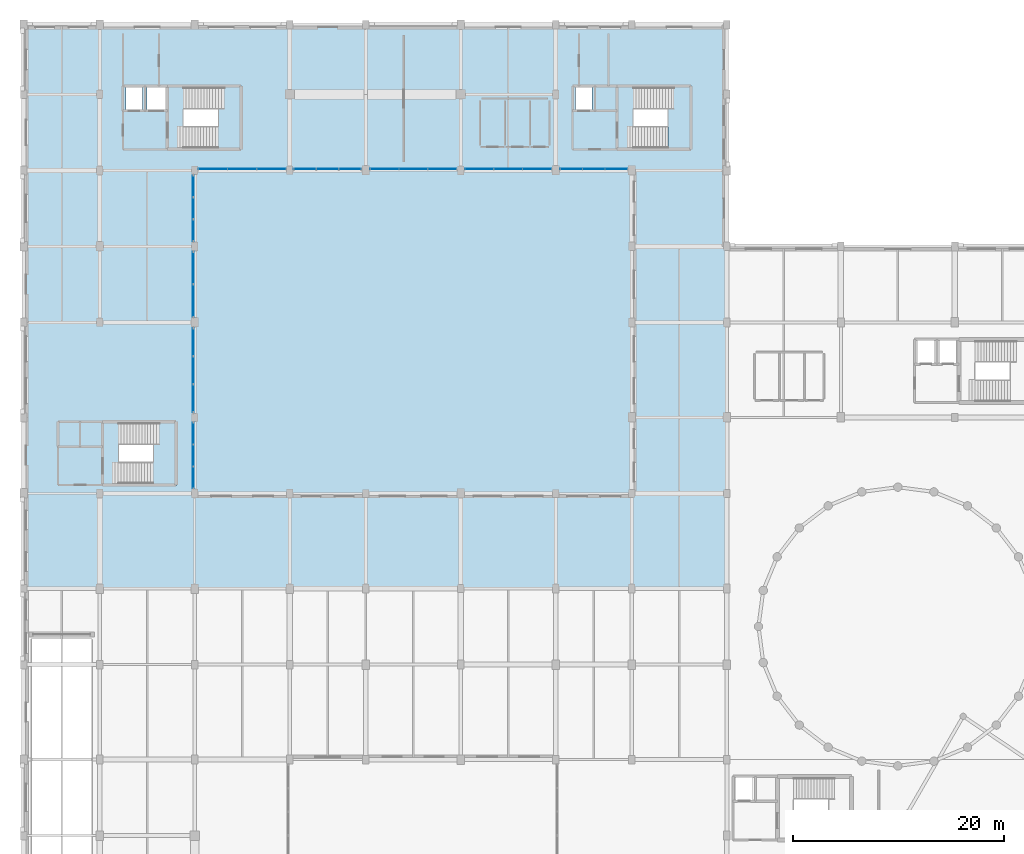
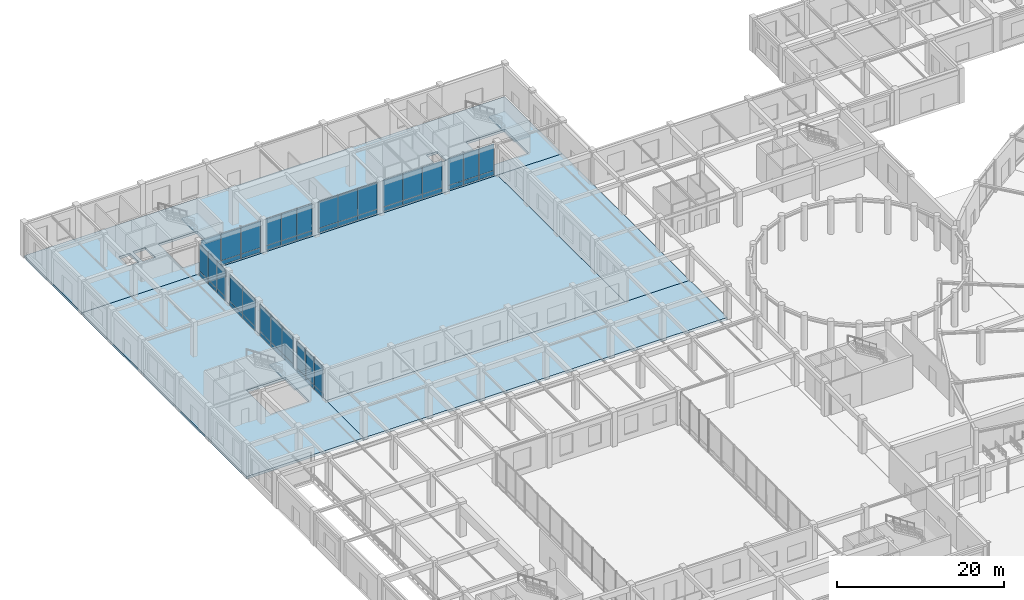
# One storey, part 41 of 64: 52 plates, 8 slabs, 12 elements without a shape of their own.
"""IFC4 building model written with IfcOpenShell, lengths in metres."""

from ifc_helpers import new_model, si_unit, direction, frame, frame_2d, origin, place, context, subcontext, project, spatial, polyline, rectangle, outline, extrude, material, layer, layer_set, type_object, element, aggregate, save


model = new_model("IFC4")

# Units and contexts
model_context = context("Model", 3, precision=1e-05, world=origin(), true_north=direction((0.0, 1.0)))
body_context = subcontext(model_context, "Body", "Model", "MODEL_VIEW")
ifc_project = project(units=[si_unit("LENGTHUNIT", "METRE"), si_unit("AREAUNIT", "SQUARE_METRE"), si_unit("VOLUMEUNIT", "CUBIC_METRE"), si_unit("PLANEANGLEUNIT", "RADIAN"), si_unit("MASSUNIT", "GRAM", prefix="KILO")], contexts=[model_context])

# Site, building, storey
site_placement = place(None, origin())
site = spatial("IfcSite", under=ifc_project, at=site_placement, CompositionType="ELEMENT")
building_placement = place(site_placement, origin())
building = spatial("IfcBuilding", under=site, at=building_placement, Name="Clarverna Civic Hall", CompositionType="ELEMENT")
storey_placement = place(building_placement, origin())
storey = spatial("IfcBuildingStorey", under=building, at=storey_placement, Name="L00", CompositionType="ELEMENT", Elevation=0.0)

# Curtain wall, plates
ifc_material_1 = material(Name="Anodised Bronze Architectural Aluminium", Category="aluminium")
curtain_wall_type = type_object("IfcCurtainWallType", Name="CW-04", PredefinedType="USERDEFINED", material=ifc_material_1)
curtain_wall_1_placement = place(storey_placement, origin())
curtain_wall_1 = element("IfcCurtainWall", 1, at=curtain_wall_1_placement, inside=storey, type_object=curtain_wall_type, Name="CW-04-001", ObjectType="UNITISED CURTAIN WALL", PredefinedType="USERDEFINED")
ifc_material_2 = material(Name="Solar-Control Argon Low-E Double Glazing", Category="glass")
ifc_layer_1 = layer(ifc_material_2, 0.031982421875)
ifc_layer_set_1 = layer_set([ifc_layer_1], Name="Solar-Control Argon Low-E Double Glazing")
plate_type_1 = type_object("IfcPlateType", Name="CWP-01", PredefinedType="CURTAIN_PANEL", material=ifc_layer_set_1)
plate_1_placement = place(storey_placement, frame((57.162109375, 102.340087890625, 0.764892578125), z_axis=(0.0, 0.0, 1.0), x_axis=(-1.0, 0.0, 0.0)))
plate_1 = element("IfcPlate", 2, at=plate_1_placement, type_object=plate_type_1, Name="CWP-01-053", PredefinedType="CURTAIN_PANEL", context=body_context, shape_type="SweptSolid", body=[
    extrude(rectangle(XDim=2.088134765625, YDim=0.031982421875, at=frame_2d((1.0439453125, 0.0))), origin(), (0.0, 0.0, 1.0), 3.945068359375),
])
plate_2_placement = place(storey_placement, frame((55.0439453125, 102.340087890625, 0.764892578125), z_axis=(0.0, 0.0, 1.0), x_axis=(-1.0, 0.0, 0.0)))
plate_2 = element("IfcPlate", 3, at=plate_2_placement, type_object=plate_type_1, Name="CWP-01-054", PredefinedType="CURTAIN_PANEL", context=body_context, shape_type="SweptSolid", body=[
    extrude(rectangle(XDim=2.087890625, YDim=0.031982421875, at=frame_2d((1.0439453125, 0.0))), origin(), (0.0, 0.0, 1.0), 3.945068359375),
])
plate_3_placement = place(storey_placement, frame((52.926025390625, 102.340087890625, 0.764892578125), z_axis=(0.0, 0.0, 1.0), x_axis=(-1.0, 0.0, 0.0)))
plate_3 = element("IfcPlate", 4, at=plate_3_placement, type_object=plate_type_1, Name="CWP-01-055", PredefinedType="CURTAIN_PANEL", context=body_context, shape_type="SweptSolid", body=[
    extrude(rectangle(XDim=2.088134765625, YDim=0.031982421875, at=frame_2d((1.0439453125, 0.0))), origin(), (0.0, 0.0, 1.0), 3.945068359375),
])

curtain_wall_2_placement = place(storey_placement, origin())
curtain_wall_2 = element("IfcCurtainWall", 5, at=curtain_wall_2_placement, inside=storey, type_object=curtain_wall_type, Name="CW-04-002", ObjectType="UNITISED CURTAIN WALL", PredefinedType="USERDEFINED")
plate_4_placement = place(storey_placement, frame((49.9619140625, 102.340087890625, 0.764892578125), z_axis=(0.0, 0.0, 1.0), x_axis=(-1.0, 0.0, 0.0)))
plate_4 = element("IfcPlate", 6, at=plate_4_placement, type_object=plate_type_1, Name="CWP-01-056", PredefinedType="CURTAIN_PANEL", context=body_context, shape_type="SweptSolid", body=[
    extrude(rectangle(XDim=2.6962890625, YDim=0.031982421875, at=frame_2d((1.34814453125, 0.0))), origin(), (0.0, 0.0, 1.0), 3.945068359375),
])
plate_5_placement = place(storey_placement, frame((47.235595703125, 102.340087890625, 0.764892578125), z_axis=(0.0, 0.0, 1.0), x_axis=(-1.0, 0.0, 0.0)))
plate_5 = element("IfcPlate", 7, at=plate_5_placement, type_object=plate_type_1, Name="CWP-01-057", PredefinedType="CURTAIN_PANEL", context=body_context, shape_type="SweptSolid", body=[
    extrude(rectangle(XDim=2.6962890625, YDim=0.031982421875, at=frame_2d((1.34814453125, 0.0))), origin(), (0.0, 0.0, 1.0), 3.945068359375),
])
plate_6_placement = place(storey_placement, frame((44.50927734375, 102.340087890625, 0.764892578125), z_axis=(0.0, 0.0, 1.0), x_axis=(-1.0, 0.0, 0.0)))
plate_6 = element("IfcPlate", 8, at=plate_6_placement, type_object=plate_type_1, Name="CWP-01-058", PredefinedType="CURTAIN_PANEL", context=body_context, shape_type="SweptSolid", body=[
    extrude(rectangle(XDim=2.6962890625, YDim=0.031982421875, at=frame_2d((1.34814453125, 0.0))), origin(), (0.0, 0.0, 1.0), 3.945068359375),
])

curtain_wall_3_placement = place(storey_placement, origin())
curtain_wall_3 = element("IfcCurtainWall", 9, at=curtain_wall_3_placement, inside=storey, type_object=curtain_wall_type, Name="CW-04-003", ObjectType="UNITISED CURTAIN WALL", PredefinedType="USERDEFINED")
plate_7_placement = place(storey_placement, frame((40.987060546875, 102.340087890625, 0.764892578125), z_axis=(0.0, 0.0, 1.0), x_axis=(-1.0, 0.0, 0.0)))
plate_7 = element("IfcPlate", 10, at=plate_7_placement, type_object=plate_type_1, Name="CWP-01-059", PredefinedType="CURTAIN_PANEL", context=body_context, shape_type="SweptSolid", body=[
    extrude(rectangle(XDim=2.6962890625, YDim=0.031982421875, at=frame_2d((1.34814453125, 0.0))), origin(), (0.0, 0.0, 1.0), 3.945068359375),
])
plate_8_placement = place(storey_placement, frame((38.2607421875, 102.340087890625, 0.764892578125), z_axis=(0.0, 0.0, 1.0), x_axis=(-1.0, 0.0, 0.0)))
plate_8 = element("IfcPlate", 11, at=plate_8_placement, type_object=plate_type_1, Name="CWP-01-060", PredefinedType="CURTAIN_PANEL", context=body_context, shape_type="SweptSolid", body=[
    extrude(rectangle(XDim=2.696533203125, YDim=0.031982421875, at=frame_2d((1.34814453125, 0.0))), origin(), (0.0, 0.0, 1.0), 3.945068359375),
])
plate_9_placement = place(storey_placement, frame((35.5341796875, 102.340087890625, 0.764892578125), z_axis=(0.0, 0.0, 1.0), x_axis=(-1.0, 0.0, 0.0)))
plate_9 = element("IfcPlate", 12, at=plate_9_placement, type_object=plate_type_1, Name="CWP-01-061", PredefinedType="CURTAIN_PANEL", context=body_context, shape_type="SweptSolid", body=[
    extrude(rectangle(XDim=2.6962890625, YDim=0.031982421875, at=frame_2d((1.34814453125, 0.0))), origin(), (0.0, 0.0, 1.0), 3.945068359375),
])

curtain_wall_4_placement = place(storey_placement, origin())
curtain_wall_4 = element("IfcCurtainWall", 13, at=curtain_wall_4_placement, inside=storey, type_object=curtain_wall_type, Name="CW-04-004", ObjectType="UNITISED CURTAIN WALL", PredefinedType="USERDEFINED")
plate_10_placement = place(storey_placement, frame((31.9619140625, 102.340087890625, 0.764892578125), z_axis=(0.0, 0.0, 1.0), x_axis=(-1.0, 0.0, 0.0)))
plate_10 = element("IfcPlate", 14, at=plate_10_placement, type_object=plate_type_1, Name="CWP-01-062", PredefinedType="CURTAIN_PANEL", context=body_context, shape_type="SweptSolid", body=[
    extrude(rectangle(XDim=2.1044921875, YDim=0.031982421875, at=frame_2d((1.05224609375, 0.0))), origin(), (0.0, 0.0, 1.0), 3.945068359375),
])
plate_11_placement = place(storey_placement, frame((29.827392578125, 102.340087890625, 0.764892578125), z_axis=(0.0, 0.0, 1.0), x_axis=(-1.0, 0.0, 0.0)))
plate_11 = element("IfcPlate", 15, at=plate_11_placement, type_object=plate_type_1, Name="CWP-01-063", PredefinedType="CURTAIN_PANEL", context=body_context, shape_type="SweptSolid", body=[
    extrude(rectangle(XDim=2.104736328125, YDim=0.031982421875, at=frame_2d((1.05224609375, 0.0))), origin(), (0.0, 0.0, 1.0), 3.945068359375),
])
plate_12_placement = place(storey_placement, frame((27.692626953125, 102.340087890625, 0.764892578125), z_axis=(0.0, 0.0, 1.0), x_axis=(-1.0, 0.0, 0.0)))
plate_12 = element("IfcPlate", 16, at=plate_12_placement, type_object=plate_type_1, Name="CWP-01-064", PredefinedType="CURTAIN_PANEL", context=body_context, shape_type="SweptSolid", body=[
    extrude(rectangle(XDim=2.104736328125, YDim=0.031982421875, at=frame_2d((1.05224609375, 0.0))), origin(), (0.0, 0.0, 1.0), 3.945068359375),
])

curtain_wall_5_placement = place(storey_placement, origin())
curtain_wall_5 = element("IfcCurtainWall", 17, at=curtain_wall_5_placement, inside=storey, type_object=curtain_wall_type, Name="CW-04-005", ObjectType="UNITISED CURTAIN WALL", PredefinedType="USERDEFINED")
plate_13_placement = place(storey_placement, frame((24.81201171875, 102.340087890625, 0.764892578125), z_axis=(0.0, 0.0, 1.0), x_axis=(-1.0, 0.0, 0.0)))
plate_13 = element("IfcPlate", 18, at=plate_13_placement, type_object=plate_type_1, Name="CWP-01-065", PredefinedType="CURTAIN_PANEL", context=body_context, shape_type="SweptSolid", body=[
    extrude(rectangle(XDim=2.72119140625, YDim=0.031982421875, at=frame_2d((1.360595703125, 0.0))), origin(), (0.0, 0.0, 1.0), 3.945068359375),
])
plate_14_placement = place(storey_placement, frame((22.060791015625, 102.340087890625, 0.764892578125), z_axis=(0.0, 0.0, 1.0), x_axis=(-1.0, 0.0, 0.0)))
plate_14 = element("IfcPlate", 19, at=plate_14_placement, type_object=plate_type_1, Name="CWP-01-066", PredefinedType="CURTAIN_PANEL", context=body_context, shape_type="SweptSolid", body=[
    extrude(rectangle(XDim=2.721435546875, YDim=0.031982421875, at=frame_2d((1.36083984375, 0.0))), origin(), (0.0, 0.0, 1.0), 3.945068359375),
])
plate_15_placement = place(storey_placement, frame((19.309326171875, 102.340087890625, 0.764892578125), z_axis=(0.0, 0.0, 1.0), x_axis=(-1.0, 0.0, 0.0)))
plate_15 = element("IfcPlate", 20, at=plate_15_placement, type_object=plate_type_1, Name="CWP-01-067", PredefinedType="CURTAIN_PANEL", context=body_context, shape_type="SweptSolid", body=[
    extrude(rectangle(XDim=2.721435546875, YDim=0.031982421875, at=frame_2d((1.36083984375, 0.0))), origin(), (0.0, 0.0, 1.0), 3.945068359375),
])

curtain_wall_6_placement = place(storey_placement, origin())
curtain_wall_6 = element("IfcCurtainWall", 21, at=curtain_wall_6_placement, inside=storey, type_object=curtain_wall_type, Name="CW-04-006", ObjectType="UNITISED CURTAIN WALL", PredefinedType="USERDEFINED")
plate_16_placement = place(storey_placement, frame((16.06005859375, 101.7119140625, 0.764892578125), z_axis=(0.0, 0.0, 1.0), x_axis=(0.0, -1.0, 0.0)))
plate_16 = element("IfcPlate", 22, at=plate_16_placement, type_object=plate_type_1, Name="CWP-01-068", PredefinedType="CURTAIN_PANEL", context=body_context, shape_type="SweptSolid", body=[
    extrude(rectangle(XDim=2.046142578125, YDim=0.031982421875, at=frame_2d((1.02294921875, 0.0))), origin(), (0.0, 0.0, 1.0), 3.945068359375),
])
plate_17_placement = place(storey_placement, frame((16.06005859375, 99.6357421875, 0.764892578125), z_axis=(0.0, 0.0, 1.0), x_axis=(0.0, -1.0, 0.0)))
plate_17 = element("IfcPlate", 23, at=plate_17_placement, type_object=plate_type_1, Name="CWP-01-069", PredefinedType="CURTAIN_PANEL", context=body_context, shape_type="SweptSolid", body=[
    extrude(rectangle(XDim=2.04638671875, YDim=0.031982421875, at=frame_2d((1.023193359375, 0.0))), origin(), (0.0, 0.0, 1.0), 3.945068359375),
])
plate_18_placement = place(storey_placement, frame((16.06005859375, 97.559326171875, 0.764892578125), z_axis=(0.0, 0.0, 1.0), x_axis=(0.0, -1.0, 0.0)))
plate_18 = element("IfcPlate", 24, at=plate_18_placement, type_object=plate_type_1, Name="CWP-01-070", PredefinedType="CURTAIN_PANEL", context=body_context, shape_type="SweptSolid", body=[
    extrude(rectangle(XDim=2.04638671875, YDim=0.031982421875, at=frame_2d((1.023193359375, 0.0))), origin(), (0.0, 0.0, 1.0), 3.945068359375),
])

curtain_wall_7_placement = place(storey_placement, origin())
curtain_wall_7 = element("IfcCurtainWall", 25, at=curtain_wall_7_placement, inside=storey, type_object=curtain_wall_type, Name="CW-04-007", ObjectType="UNITISED CURTAIN WALL", PredefinedType="USERDEFINED")
plate_19_placement = place(storey_placement, frame((16.06005859375, 94.487060546875, 0.764892578125), z_axis=(0.0, 0.0, 1.0), x_axis=(0.0, -1.0, 0.0)))
plate_19 = element("IfcPlate", 26, at=plate_19_placement, type_object=plate_type_1, Name="CWP-01-071", PredefinedType="CURTAIN_PANEL", context=body_context, shape_type="SweptSolid", body=[
    extrude(rectangle(XDim=3.0595703125, YDim=0.031982421875, at=frame_2d((1.52978515625, 0.0))), origin(), (0.0, 0.0, 1.0), 3.945068359375),
])
plate_20_placement = place(storey_placement, frame((16.06005859375, 91.3974609375, 0.764892578125), z_axis=(0.0, 0.0, 1.0), x_axis=(0.0, -1.0, 0.0)))
plate_20 = element("IfcPlate", 27, at=plate_20_placement, type_object=plate_type_1, Name="CWP-01-072", PredefinedType="CURTAIN_PANEL", context=body_context, shape_type="SweptSolid", body=[
    extrude(rectangle(XDim=3.0595703125, YDim=0.031982421875, at=frame_2d((1.52978515625, 0.0))), origin(), (0.0, 0.0, 1.0), 3.945068359375),
])

curtain_wall_8_placement = place(storey_placement, origin())
curtain_wall_8 = element("IfcCurtainWall", 28, at=curtain_wall_8_placement, inside=storey, type_object=curtain_wall_type, Name="CW-04-008", ObjectType="UNITISED CURTAIN WALL", PredefinedType="USERDEFINED")
plate_21_placement = place(storey_placement, frame((16.06005859375, 87.261962890625, 0.764892578125), z_axis=(0.0, 0.0, 1.0), x_axis=(0.0, -1.0, 0.0)))
plate_21 = element("IfcPlate", 29, at=plate_21_placement, type_object=plate_type_1, Name="CWP-01-073", PredefinedType="CURTAIN_PANEL", context=body_context, shape_type="SweptSolid", body=[
    extrude(rectangle(XDim=2.637939453125, YDim=0.031982421875, at=frame_2d((1.31884765625, 0.0))), origin(), (0.0, 0.0, 1.0), 3.945068359375),
])
plate_22_placement = place(storey_placement, frame((16.06005859375, 84.593994140625, 0.764892578125), z_axis=(0.0, 0.0, 1.0), x_axis=(0.0, -1.0, 0.0)))
plate_22 = element("IfcPlate", 30, at=plate_22_placement, type_object=plate_type_1, Name="CWP-01-074", PredefinedType="CURTAIN_PANEL", context=body_context, shape_type="SweptSolid", body=[
    extrude(rectangle(XDim=2.637939453125, YDim=0.031982421875, at=frame_2d((1.31884765625, 0.0))), origin(), (0.0, 0.0, 1.0), 3.945068359375),
])
plate_23_placement = place(storey_placement, frame((16.06005859375, 81.926025390625, 0.764892578125), z_axis=(0.0, 0.0, 1.0), x_axis=(0.0, -1.0, 0.0)))
plate_23 = element("IfcPlate", 31, at=plate_23_placement, type_object=plate_type_1, Name="CWP-01-075", PredefinedType="CURTAIN_PANEL", context=body_context, shape_type="SweptSolid", body=[
    extrude(rectangle(XDim=2.637939453125, YDim=0.031982421875, at=frame_2d((1.31884765625, 0.0))), origin(), (0.0, 0.0, 1.0), 3.945068359375),
])

curtain_wall_9_placement = place(storey_placement, origin())
curtain_wall_9 = element("IfcCurtainWall", 32, at=curtain_wall_9_placement, inside=storey, type_object=curtain_wall_type, Name="CW-04-009", ObjectType="UNITISED CURTAIN WALL", PredefinedType="USERDEFINED")
plate_24_placement = place(storey_placement, frame((16.06005859375, 78.31201171875, 0.764892578125), z_axis=(0.0, 0.0, 1.0), x_axis=(0.0, -1.0, 0.0)))
plate_24 = element("IfcPlate", 33, at=plate_24_placement, type_object=plate_type_1, Name="CWP-01-076", PredefinedType="CURTAIN_PANEL", context=body_context, shape_type="SweptSolid", body=[
    extrude(rectangle(XDim=2.04638671875, YDim=0.031982421875, at=frame_2d((1.023193359375, 0.0))), origin(), (0.0, 0.0, 1.0), 3.945068359375),
])
plate_25_placement = place(storey_placement, frame((16.06005859375, 76.235595703125, 0.764892578125), z_axis=(0.0, 0.0, 1.0), x_axis=(0.0, -1.0, 0.0)))
plate_25 = element("IfcPlate", 34, at=plate_25_placement, type_object=plate_type_1, Name="CWP-01-077", PredefinedType="CURTAIN_PANEL", context=body_context, shape_type="SweptSolid", body=[
    extrude(rectangle(XDim=2.04638671875, YDim=0.031982421875, at=frame_2d((1.023193359375, 0.0))), origin(), (0.0, 0.0, 1.0), 3.945068359375),
])
plate_26_placement = place(storey_placement, frame((16.06005859375, 74.1591796875, 0.764892578125), z_axis=(0.0, 0.0, 1.0), x_axis=(0.0, -1.0, 0.0)))
plate_26 = element("IfcPlate", 35, at=plate_26_placement, type_object=plate_type_1, Name="CWP-01-078", PredefinedType="CURTAIN_PANEL", context=body_context, shape_type="SweptSolid", body=[
    extrude(rectangle(XDim=2.046142578125, YDim=0.031982421875, at=frame_2d((1.02294921875, 0.0))), origin(), (0.0, 0.0, 1.0), 3.945068359375),
])

# Plate
ifc_material_3 = material(Name="Insulated Anodised Bronze Spandrel Panel", Category="aluminium")
ifc_layer_2 = layer(ifc_material_3, 0.048095703125)
ifc_layer_set_2 = layer_set([ifc_layer_2], Name="Insulated Anodised Bronze Spandrel Panel")
plate_type_2 = type_object("IfcPlateType", Name="CWP-03", PredefinedType="CURTAIN_PANEL", material=ifc_layer_set_2)
plate_27_placement = place(storey_placement, frame((57.162109375, 102.340087890625, 0.110107421875), z_axis=(0.0, 0.0, 1.0), x_axis=(-1.0, 0.0, 0.0)))
plate_27 = element("IfcPlate", 36, at=plate_27_placement, type_object=plate_type_2, Name="CWP-03-055", PredefinedType="CURTAIN_PANEL", context=body_context, shape_type="SweptSolid", body=[
    extrude(rectangle(XDim=2.088134765625, YDim=0.048095703125, at=frame_2d((1.0439453125, 0.0))), origin(), (0.0, 0.0, 1.0), 0.625),
])

plate_28_placement = place(storey_placement, frame((55.0439453125, 102.340087890625, 0.110107421875), z_axis=(0.0, 0.0, 1.0), x_axis=(-1.0, 0.0, 0.0)))
plate_28 = element("IfcPlate", 37, at=plate_28_placement, type_object=plate_type_2, Name="CWP-03-056", PredefinedType="CURTAIN_PANEL", context=body_context, shape_type="SweptSolid", body=[
    extrude(rectangle(XDim=2.087890625, YDim=0.048095703125, at=frame_2d((1.0439453125, 0.0))), origin(), (0.0, 0.0, 1.0), 0.625),
])

plate_29_placement = place(storey_placement, frame((52.926025390625, 102.340087890625, 0.110107421875), z_axis=(0.0, 0.0, 1.0), x_axis=(-1.0, 0.0, 0.0)))
plate_29 = element("IfcPlate", 38, at=plate_29_placement, type_object=plate_type_2, Name="CWP-03-057", PredefinedType="CURTAIN_PANEL", context=body_context, shape_type="SweptSolid", body=[
    extrude(rectangle(XDim=2.088134765625, YDim=0.048095703125, at=frame_2d((1.0439453125, 0.0))), origin(), (0.0, 0.0, 1.0), 0.625),
])

aggregate(curtain_wall_1, [plate_27, plate_1, plate_28, plate_2, plate_29, plate_3])

plate_30_placement = place(storey_placement, frame((49.9619140625, 102.340087890625, 0.110107421875), z_axis=(0.0, 0.0, 1.0), x_axis=(-1.0, 0.0, 0.0)))
plate_30 = element("IfcPlate", 39, at=plate_30_placement, type_object=plate_type_2, Name="CWP-03-058", PredefinedType="CURTAIN_PANEL", context=body_context, shape_type="SweptSolid", body=[
    extrude(rectangle(XDim=2.6962890625, YDim=0.048095703125, at=frame_2d((1.34814453125, 0.0))), origin(), (0.0, 0.0, 1.0), 0.625),
])

plate_31_placement = place(storey_placement, frame((47.235595703125, 102.340087890625, 0.110107421875), z_axis=(0.0, 0.0, 1.0), x_axis=(-1.0, 0.0, 0.0)))
plate_31 = element("IfcPlate", 40, at=plate_31_placement, type_object=plate_type_2, Name="CWP-03-059", PredefinedType="CURTAIN_PANEL", context=body_context, shape_type="SweptSolid", body=[
    extrude(rectangle(XDim=2.6962890625, YDim=0.048095703125, at=frame_2d((1.34814453125, 0.0))), origin(), (0.0, 0.0, 1.0), 0.625),
])

plate_32_placement = place(storey_placement, frame((44.50927734375, 102.340087890625, 0.110107421875), z_axis=(0.0, 0.0, 1.0), x_axis=(-1.0, 0.0, 0.0)))
plate_32 = element("IfcPlate", 41, at=plate_32_placement, type_object=plate_type_2, Name="CWP-03-060", PredefinedType="CURTAIN_PANEL", context=body_context, shape_type="SweptSolid", body=[
    extrude(rectangle(XDim=2.6962890625, YDim=0.048095703125, at=frame_2d((1.34814453125, 0.0))), origin(), (0.0, 0.0, 1.0), 0.625),
])

aggregate(curtain_wall_2, [plate_30, plate_4, plate_31, plate_5, plate_32, plate_6])

plate_33_placement = place(storey_placement, frame((40.987060546875, 102.340087890625, 0.110107421875), z_axis=(0.0, 0.0, 1.0), x_axis=(-1.0, 0.0, 0.0)))
plate_33 = element("IfcPlate", 42, at=plate_33_placement, type_object=plate_type_2, Name="CWP-03-061", PredefinedType="CURTAIN_PANEL", context=body_context, shape_type="SweptSolid", body=[
    extrude(rectangle(XDim=2.6962890625, YDim=0.048095703125, at=frame_2d((1.34814453125, 0.0))), origin(), (0.0, 0.0, 1.0), 0.625),
])

plate_34_placement = place(storey_placement, frame((38.2607421875, 102.340087890625, 0.110107421875), z_axis=(0.0, 0.0, 1.0), x_axis=(-1.0, 0.0, 0.0)))
plate_34 = element("IfcPlate", 43, at=plate_34_placement, type_object=plate_type_2, Name="CWP-03-062", PredefinedType="CURTAIN_PANEL", context=body_context, shape_type="SweptSolid", body=[
    extrude(rectangle(XDim=2.696533203125, YDim=0.048095703125, at=frame_2d((1.34814453125, 0.0))), origin(), (0.0, 0.0, 1.0), 0.625),
])

plate_35_placement = place(storey_placement, frame((35.5341796875, 102.340087890625, 0.110107421875), z_axis=(0.0, 0.0, 1.0), x_axis=(-1.0, 0.0, 0.0)))
plate_35 = element("IfcPlate", 44, at=plate_35_placement, type_object=plate_type_2, Name="CWP-03-063", PredefinedType="CURTAIN_PANEL", context=body_context, shape_type="SweptSolid", body=[
    extrude(rectangle(XDim=2.6962890625, YDim=0.048095703125, at=frame_2d((1.34814453125, 0.0))), origin(), (0.0, 0.0, 1.0), 0.625),
])

aggregate(curtain_wall_3, [plate_33, plate_7, plate_34, plate_8, plate_35, plate_9])

plate_36_placement = place(storey_placement, frame((31.9619140625, 102.340087890625, 0.110107421875), z_axis=(0.0, 0.0, 1.0), x_axis=(-1.0, 0.0, 0.0)))
plate_36 = element("IfcPlate", 45, at=plate_36_placement, type_object=plate_type_2, Name="CWP-03-064", PredefinedType="CURTAIN_PANEL", context=body_context, shape_type="SweptSolid", body=[
    extrude(rectangle(XDim=2.1044921875, YDim=0.048095703125, at=frame_2d((1.05224609375, 0.0))), origin(), (0.0, 0.0, 1.0), 0.625),
])

plate_37_placement = place(storey_placement, frame((29.827392578125, 102.340087890625, 0.110107421875), z_axis=(0.0, 0.0, 1.0), x_axis=(-1.0, 0.0, 0.0)))
plate_37 = element("IfcPlate", 46, at=plate_37_placement, type_object=plate_type_2, Name="CWP-03-065", PredefinedType="CURTAIN_PANEL", context=body_context, shape_type="SweptSolid", body=[
    extrude(rectangle(XDim=2.104736328125, YDim=0.048095703125, at=frame_2d((1.05224609375, 0.0))), origin(), (0.0, 0.0, 1.0), 0.625),
])

plate_38_placement = place(storey_placement, frame((27.692626953125, 102.340087890625, 0.110107421875), z_axis=(0.0, 0.0, 1.0), x_axis=(-1.0, 0.0, 0.0)))
plate_38 = element("IfcPlate", 47, at=plate_38_placement, type_object=plate_type_2, Name="CWP-03-066", PredefinedType="CURTAIN_PANEL", context=body_context, shape_type="SweptSolid", body=[
    extrude(rectangle(XDim=2.104736328125, YDim=0.048095703125, at=frame_2d((1.05224609375, 0.0))), origin(), (0.0, 0.0, 1.0), 0.625),
])

aggregate(curtain_wall_4, [plate_36, plate_10, plate_37, plate_11, plate_38, plate_12])

plate_39_placement = place(storey_placement, frame((24.81201171875, 102.340087890625, 0.110107421875), z_axis=(0.0, 0.0, 1.0), x_axis=(-1.0, 0.0, 0.0)))
plate_39 = element("IfcPlate", 48, at=plate_39_placement, type_object=plate_type_2, Name="CWP-03-067", PredefinedType="CURTAIN_PANEL", context=body_context, shape_type="SweptSolid", body=[
    extrude(rectangle(XDim=2.72119140625, YDim=0.048095703125, at=frame_2d((1.360595703125, 0.0))), origin(), (0.0, 0.0, 1.0), 0.625),
])

plate_40_placement = place(storey_placement, frame((22.060791015625, 102.340087890625, 0.110107421875), z_axis=(0.0, 0.0, 1.0), x_axis=(-1.0, 0.0, 0.0)))
plate_40 = element("IfcPlate", 49, at=plate_40_placement, type_object=plate_type_2, Name="CWP-03-068", PredefinedType="CURTAIN_PANEL", context=body_context, shape_type="SweptSolid", body=[
    extrude(rectangle(XDim=2.721435546875, YDim=0.048095703125, at=frame_2d((1.36083984375, 0.0))), origin(), (0.0, 0.0, 1.0), 0.625),
])

plate_41_placement = place(storey_placement, frame((19.309326171875, 102.340087890625, 0.110107421875), z_axis=(0.0, 0.0, 1.0), x_axis=(-1.0, 0.0, 0.0)))
plate_41 = element("IfcPlate", 50, at=plate_41_placement, type_object=plate_type_2, Name="CWP-03-069", PredefinedType="CURTAIN_PANEL", context=body_context, shape_type="SweptSolid", body=[
    extrude(rectangle(XDim=2.721435546875, YDim=0.048095703125, at=frame_2d((1.36083984375, 0.0))), origin(), (0.0, 0.0, 1.0), 0.625),
])

aggregate(curtain_wall_5, [plate_39, plate_13, plate_40, plate_14, plate_41, plate_15])

plate_42_placement = place(storey_placement, frame((16.06005859375, 101.7119140625, 0.110107421875), z_axis=(0.0, 0.0, 1.0), x_axis=(0.0, -1.0, 0.0)))
plate_42 = element("IfcPlate", 51, at=plate_42_placement, type_object=plate_type_2, Name="CWP-03-070", PredefinedType="CURTAIN_PANEL", context=body_context, shape_type="SweptSolid", body=[
    extrude(rectangle(XDim=2.046142578125, YDim=0.048095703125, at=frame_2d((1.02294921875, 0.0))), origin(), (0.0, 0.0, 1.0), 0.625),
])

plate_43_placement = place(storey_placement, frame((16.06005859375, 99.6357421875, 0.110107421875), z_axis=(0.0, 0.0, 1.0), x_axis=(0.0, -1.0, 0.0)))
plate_43 = element("IfcPlate", 52, at=plate_43_placement, type_object=plate_type_2, Name="CWP-03-071", PredefinedType="CURTAIN_PANEL", context=body_context, shape_type="SweptSolid", body=[
    extrude(rectangle(XDim=2.04638671875, YDim=0.048095703125, at=frame_2d((1.023193359375, 0.0))), origin(), (0.0, 0.0, 1.0), 0.625),
])

plate_44_placement = place(storey_placement, frame((16.06005859375, 97.559326171875, 0.110107421875), z_axis=(0.0, 0.0, 1.0), x_axis=(0.0, -1.0, 0.0)))
plate_44 = element("IfcPlate", 53, at=plate_44_placement, type_object=plate_type_2, Name="CWP-03-072", PredefinedType="CURTAIN_PANEL", context=body_context, shape_type="SweptSolid", body=[
    extrude(rectangle(XDim=2.04638671875, YDim=0.048095703125, at=frame_2d((1.023193359375, 0.0))), origin(), (0.0, 0.0, 1.0), 0.625),
])

aggregate(curtain_wall_6, [plate_42, plate_16, plate_43, plate_17, plate_44, plate_18])

plate_45_placement = place(storey_placement, frame((16.06005859375, 94.487060546875, 0.110107421875), z_axis=(0.0, 0.0, 1.0), x_axis=(0.0, -1.0, 0.0)))
plate_45 = element("IfcPlate", 54, at=plate_45_placement, type_object=plate_type_2, Name="CWP-03-073", PredefinedType="CURTAIN_PANEL", context=body_context, shape_type="SweptSolid", body=[
    extrude(rectangle(XDim=3.0595703125, YDim=0.048095703125, at=frame_2d((1.52978515625, 0.0))), origin(), (0.0, 0.0, 1.0), 0.625),
])

plate_46_placement = place(storey_placement, frame((16.06005859375, 91.3974609375, 0.110107421875), z_axis=(0.0, 0.0, 1.0), x_axis=(0.0, -1.0, 0.0)))
plate_46 = element("IfcPlate", 55, at=plate_46_placement, type_object=plate_type_2, Name="CWP-03-074", PredefinedType="CURTAIN_PANEL", context=body_context, shape_type="SweptSolid", body=[
    extrude(rectangle(XDim=3.0595703125, YDim=0.048095703125, at=frame_2d((1.52978515625, 0.0))), origin(), (0.0, 0.0, 1.0), 0.625),
])

aggregate(curtain_wall_7, [plate_45, plate_19, plate_46, plate_20])

plate_47_placement = place(storey_placement, frame((16.06005859375, 87.261962890625, 0.110107421875), z_axis=(0.0, 0.0, 1.0), x_axis=(0.0, -1.0, 0.0)))
plate_47 = element("IfcPlate", 56, at=plate_47_placement, type_object=plate_type_2, Name="CWP-03-075", PredefinedType="CURTAIN_PANEL", context=body_context, shape_type="SweptSolid", body=[
    extrude(rectangle(XDim=2.637939453125, YDim=0.048095703125, at=frame_2d((1.31884765625, 0.0))), origin(), (0.0, 0.0, 1.0), 0.625),
])

plate_48_placement = place(storey_placement, frame((16.06005859375, 84.593994140625, 0.110107421875), z_axis=(0.0, 0.0, 1.0), x_axis=(0.0, -1.0, 0.0)))
plate_48 = element("IfcPlate", 57, at=plate_48_placement, type_object=plate_type_2, Name="CWP-03-076", PredefinedType="CURTAIN_PANEL", context=body_context, shape_type="SweptSolid", body=[
    extrude(rectangle(XDim=2.637939453125, YDim=0.048095703125, at=frame_2d((1.31884765625, 0.0))), origin(), (0.0, 0.0, 1.0), 0.625),
])

plate_49_placement = place(storey_placement, frame((16.06005859375, 81.926025390625, 0.110107421875), z_axis=(0.0, 0.0, 1.0), x_axis=(0.0, -1.0, 0.0)))
plate_49 = element("IfcPlate", 58, at=plate_49_placement, type_object=plate_type_2, Name="CWP-03-077", PredefinedType="CURTAIN_PANEL", context=body_context, shape_type="SweptSolid", body=[
    extrude(rectangle(XDim=2.637939453125, YDim=0.048095703125, at=frame_2d((1.31884765625, 0.0))), origin(), (0.0, 0.0, 1.0), 0.625),
])

aggregate(curtain_wall_8, [plate_47, plate_21, plate_48, plate_22, plate_49, plate_23])

plate_50_placement = place(storey_placement, frame((16.06005859375, 78.31201171875, 0.110107421875), z_axis=(0.0, 0.0, 1.0), x_axis=(0.0, -1.0, 0.0)))
plate_50 = element("IfcPlate", 59, at=plate_50_placement, type_object=plate_type_2, Name="CWP-03-078", PredefinedType="CURTAIN_PANEL", context=body_context, shape_type="SweptSolid", body=[
    extrude(rectangle(XDim=2.04638671875, YDim=0.048095703125, at=frame_2d((1.023193359375, 0.0))), origin(), (0.0, 0.0, 1.0), 0.625),
])

plate_51_placement = place(storey_placement, frame((16.06005859375, 76.235595703125, 0.110107421875), z_axis=(0.0, 0.0, 1.0), x_axis=(0.0, -1.0, 0.0)))
plate_51 = element("IfcPlate", 60, at=plate_51_placement, type_object=plate_type_2, Name="CWP-03-079", PredefinedType="CURTAIN_PANEL", context=body_context, shape_type="SweptSolid", body=[
    extrude(rectangle(XDim=2.04638671875, YDim=0.048095703125, at=frame_2d((1.023193359375, 0.0))), origin(), (0.0, 0.0, 1.0), 0.625),
])

plate_52_placement = place(storey_placement, frame((16.06005859375, 74.1591796875, 0.110107421875), z_axis=(0.0, 0.0, 1.0), x_axis=(0.0, -1.0, 0.0)))
plate_52 = element("IfcPlate", 61, at=plate_52_placement, type_object=plate_type_2, Name="CWP-03-080", PredefinedType="CURTAIN_PANEL", context=body_context, shape_type="SweptSolid", body=[
    extrude(rectangle(XDim=2.046142578125, YDim=0.048095703125, at=frame_2d((1.02294921875, 0.0))), origin(), (0.0, 0.0, 1.0), 0.625),
])

aggregate(curtain_wall_9, [plate_50, plate_24, plate_51, plate_25, plate_52, plate_26])

# Slabs
ifc_material_4 = material(Name="Concrete C30/37", Category="concrete")
ifc_layer_3 = layer(ifc_material_4, 0.360107421875)
ifc_layer_set_3 = layer_set([ifc_layer_3], Name="Concrete C30/37")
slab_type_1 = type_object("IfcSlabType", Name="SL-FL1", PredefinedType="FLOOR", material=ifc_layer_set_3)
slab_1_placement = place(storey_placement, frame((0.0, 0.0, -0.360107421875)))
element("IfcSlab", 62, at=slab_1_placement, inside=storey, type_object=slab_type_1, Name="SL-FL1-008", PredefinedType="FLOOR", context=body_context, shape_type="SweptSolid", body=[
    extrude(outline(polyline([(0.0, 102.199951171875), (66.574951171875, 102.199951171875), (66.574951171875, 116.0), (0.0, 116.0), (0.0, 102.199951171875)]), holes=[polyline([(15.14990234375, 104.320068359375), (20.550048828125, 104.320068359375), (20.550048828125, 110.080078125), (15.14990234375, 110.080078125), (15.14990234375, 104.320068359375)]), polyline([(9.669921875, 107.93994140625), (11.22998046875, 107.93994140625), (11.22998046875, 110.10009765625), (9.669921875, 110.10009765625), (9.669921875, 107.93994140625)]), polyline([(11.669921875, 107.840087890625), (13.429931640625, 107.840087890625), (13.429931640625, 110.199951171875), (11.669921875, 110.199951171875), (11.669921875, 107.840087890625)]), polyline([(57.75, 104.320068359375), (63.14990234375, 104.320068359375), (63.14990234375, 110.080078125), (57.75, 110.080078125), (57.75, 104.320068359375)]), polyline([(52.27001953125, 107.93994140625), (53.830078125, 107.93994140625), (53.830078125, 110.10009765625), (52.27001953125, 110.10009765625), (52.27001953125, 107.93994140625)])]), origin(), (0.0, 0.0, 1.0), 0.360107421875),
])
slab_2_placement = place(storey_placement, frame((0.0, 0.0, -0.360107421875)))
element("IfcSlab", 63, at=slab_2_placement, inside=storey, type_object=slab_type_1, Name="SL-FL1-009", PredefinedType="FLOOR", context=body_context, shape_type="SweptSolid", body=[
    extrude(outline(polyline([(0.0, 102.199951171875), (0.0, 62.60009765625), (16.199951171875, 62.60009765625), (16.199951171875, 102.199951171875), (0.0, 102.199951171875)]), holes=[polyline([(9.0, 72.52001953125), (14.39990234375, 72.52001953125), (14.39990234375, 78.280029296875), (9.0, 78.280029296875), (9.0, 72.52001953125)])]), origin(), (0.0, 0.0, 1.0), 0.360107421875),
])
slab_3_placement = place(storey_placement, frame((0.0, 0.0, -0.360107421875)))
element("IfcSlab", 64, at=slab_3_placement, inside=storey, type_object=slab_type_1, Name="SL-FL1-010", PredefinedType="FLOOR", context=body_context, shape_type="SweptSolid", body=[
    extrude(outline(polyline([(16.199951171875, 62.60009765625), (66.574951171875, 62.60009765625), (66.574951171875, 71.60009765625), (16.199951171875, 71.60009765625), (16.199951171875, 62.60009765625)])), origin(), (0.0, 0.0, 1.0), 0.360107421875),
])
slab_4_placement = place(storey_placement, frame((0.0, 0.0, -0.360107421875)))
element("IfcSlab", 65, at=slab_4_placement, inside=storey, type_object=slab_type_1, Name="SL-FL1-011", PredefinedType="FLOOR", context=body_context, shape_type="SweptSolid", body=[
    extrude(outline(polyline([(57.60009765625, 71.60009765625), (66.574951171875, 71.60009765625), (66.574951171875, 102.199951171875), (57.60009765625, 102.199951171875), (57.60009765625, 71.60009765625)])), origin(), (0.0, 0.0, 1.0), 0.360107421875),
])

# Stair, slab
stair_type = type_object("IfcStairType", Name="ST-U1", PredefinedType="HALF_TURN_STAIR", material=ifc_material_4)
stair_1_placement = place(storey_placement, origin())
stair_1 = element("IfcStair", 66, at=stair_1_placement, inside=storey, type_object=stair_type, Name="ST-U1:L00:0007", PredefinedType="HALF_TURN_STAIR")
ifc_layer_4 = layer(ifc_material_4, 0.199951171875)
ifc_layer_set_4 = layer_set([ifc_layer_4], Name="Concrete C30/37")
slab_type_2 = type_object("IfcSlabType", Name="SL-LD1", PredefinedType="LANDING", material=ifc_layer_set_4)
slab_5_placement = place(storey_placement, frame((0.0, 0.0, 2.35009765625)))
slab_5 = element("IfcSlab", 67, at=slab_5_placement, type_object=slab_type_2, Name="SL-LD1-026", PredefinedType="LANDING", context=body_context, shape_type="SweptSolid", body=[
    extrude(outline(polyline([(18.419921875, 104.219970703125), (20.64990234375, 104.219970703125), (20.64990234375, 110.179931640625), (18.419921875, 110.179931640625), (18.419921875, 104.219970703125)])), origin(), (0.0, 0.0, 1.0), 0.199951171875),
])
aggregate(stair_1, [slab_5])

stair_2_placement = place(storey_placement, origin())
stair_2 = element("IfcStair", 68, at=stair_2_placement, inside=storey, type_object=stair_type, Name="ST-U1:L00:0015", PredefinedType="HALF_TURN_STAIR")
slab_6_placement = place(storey_placement, frame((0.0, 0.0, 2.35009765625)))
slab_6 = element("IfcSlab", 69, at=slab_6_placement, type_object=slab_type_2, Name="SL-LD1-045", PredefinedType="LANDING", context=body_context, shape_type="SweptSolid", body=[
    extrude(outline(polyline([(61.02001953125, 104.219970703125), (63.25, 104.219970703125), (63.25, 110.179931640625), (61.02001953125, 110.179931640625), (61.02001953125, 104.219970703125)])), origin(), (0.0, 0.0, 1.0), 0.199951171875),
])
aggregate(stair_2, [slab_6])

stair_3_placement = place(storey_placement, origin())
stair_3 = element("IfcStair", 70, at=stair_3_placement, inside=storey, type_object=stair_type, Name="ST-U1:L00:0017", PredefinedType="HALF_TURN_STAIR")
slab_7_placement = place(storey_placement, frame((0.0, 0.0, 2.35009765625)))
slab_7 = element("IfcSlab", 71, at=slab_7_placement, type_object=slab_type_2, Name="SL-LD1-050", PredefinedType="LANDING", context=body_context, shape_type="SweptSolid", body=[
    extrude(outline(polyline([(12.27001953125, 72.419921875), (14.5, 72.419921875), (14.5, 78.3798828125), (12.27001953125, 78.3798828125), (12.27001953125, 72.419921875)])), origin(), (0.0, 0.0, 1.0), 0.199951171875),
])
aggregate(stair_3, [slab_7])

# Slab
ifc_layer_5 = layer(ifc_material_4, 0.25)
ifc_layer_set_5 = layer_set([ifc_layer_5], Name="Concrete C30/37")
slab_type_3 = type_object("IfcSlabType", Name="SL-TR2", PredefinedType="FLOOR", material=ifc_layer_set_5)
slab_8_placement = place(storey_placement, frame((0.0, 0.0, -0.25)))
element("IfcSlab", 72, at=slab_8_placement, inside=storey, type_object=slab_type_3, Name="SL-TR2-002", PredefinedType="FLOOR", context=body_context, shape_type="SweptSolid", body=[
    extrude(outline(polyline([(16.199951171875, 71.60009765625), (57.60009765625, 71.60009765625), (57.60009765625, 102.199951171875), (16.199951171875, 102.199951171875), (16.199951171875, 71.60009765625)])), origin(), (0.0, 0.0, 1.0), 0.25),
])

save(model, "model.ifc")
